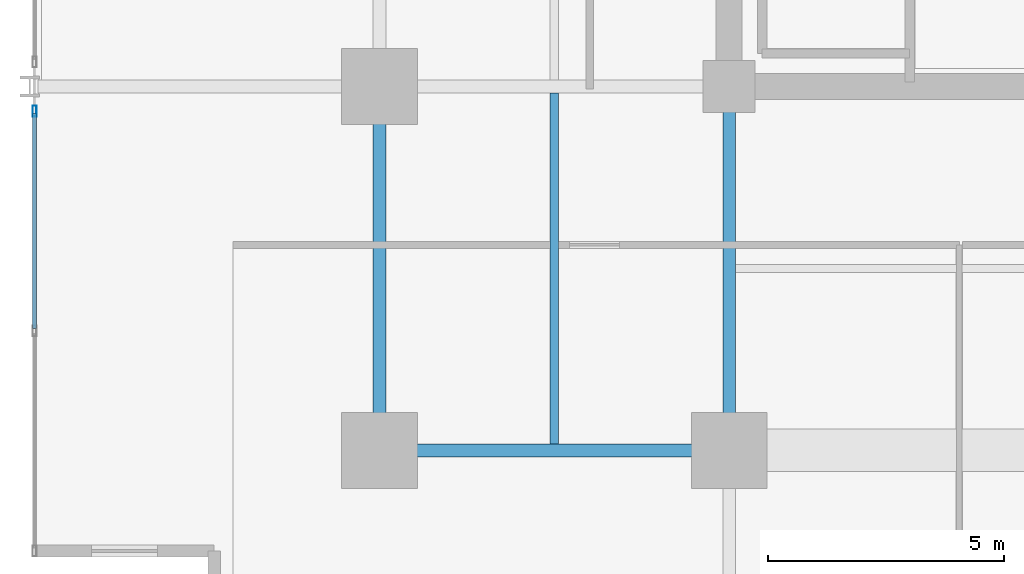
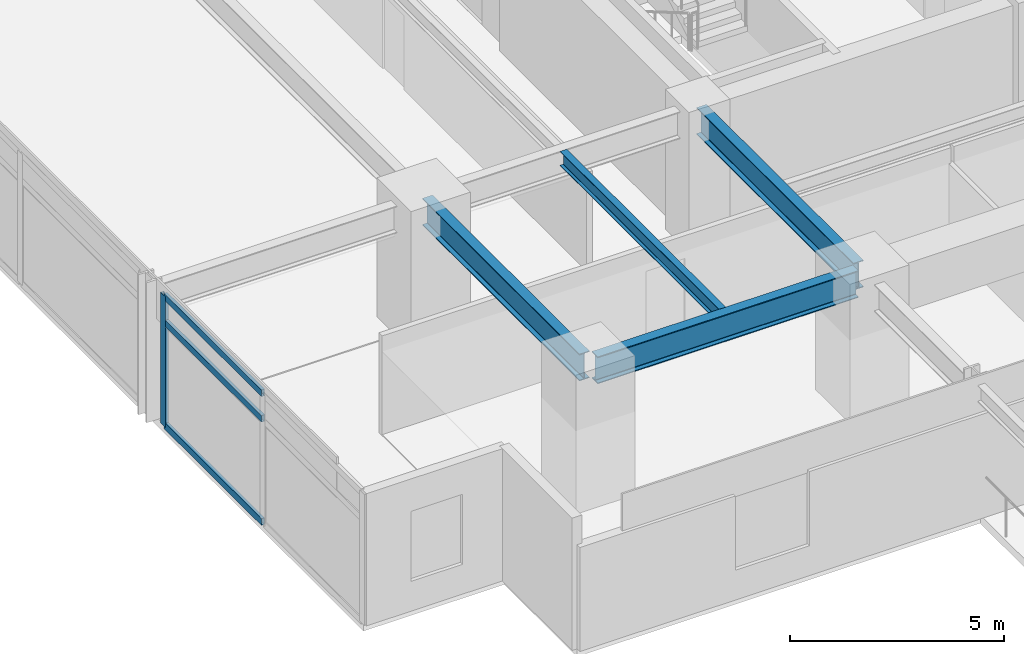
# One storey, part 3 of 21: 4 beams, 4 members, 1 element without a shape of its own.
"""IFC4 building model written with IfcOpenShell, lengths in metres."""

from ifc_helpers import new_model, si_unit, direction, frame, origin, origin_2d, place, context, subcontext, project, spatial, hollow_rectangle, i_section, extrude, material, material_profile, profile_set, type_object, element, aggregate, save


model = new_model("IFC4")

# Units and contexts
model_context = context("Model", 3, precision=1e-05, world=origin(), true_north=direction((0.0, 1.0)))
body_context = subcontext(model_context, "Body", "Model", "MODEL_VIEW")
ifc_project = project(units=[si_unit("LENGTHUNIT", "METRE"), si_unit("AREAUNIT", "SQUARE_METRE"), si_unit("VOLUMEUNIT", "CUBIC_METRE"), si_unit("PLANEANGLEUNIT", "RADIAN"), si_unit("MASSUNIT", "GRAM", prefix="KILO")], contexts=[model_context])

# Site, building, storey
site_placement = place(None, origin())
site = spatial("IfcSite", under=ifc_project, at=site_placement, CompositionType="ELEMENT")
building_placement = place(site_placement, origin())
building = spatial("IfcBuilding", under=site, at=building_placement, Name="Kovane Verandah Tower", CompositionType="ELEMENT")
storey_placement = place(building_placement, frame((0.0, 0.0, 152.39990234375)))
storey = spatial("IfcBuildingStorey", under=building, at=storey_placement, Name="L35", CompositionType="ELEMENT", Elevation=152.39990234375)

# Beams
ifc_material_1 = material(Name="Steel S355", Category="steel")
ifc_material_profile_1 = material_profile(ifc_material_1, i_section(OverallWidth=0.26806640625, OverallDepth=0.769775390625, WebThickness=0.015625, FlangeThickness=0.025390625, FilletRadius=0.0166015625, at=origin_2d()), Name="UB762x267x197")
ifc_profile_set_1 = profile_set([ifc_material_profile_1], Name="Steel S355")
beam_type_1 = type_object("IfcBeamType", Name="BM-UB762x197", PredefinedType="BEAM", material=ifc_profile_set_1)
beam_1_placement = place(storey_placement, frame((21.780029296875, 10.800048828125, 3.39013671875), z_axis=(1.0, 0.0, 0.0), x_axis=(0.0, 1.0, 0.0)))
element("IfcBeam", 1, at=beam_1_placement, inside=storey, type_object=beam_type_1, Name="L35 Primary Tower Girder G-RS1", PredefinedType="BEAM", context=body_context, shape_type="SweptSolid", body=[
    extrude(i_section(OverallWidth=0.26806640625, OverallDepth=0.769775390625, WebThickness=0.015625, FlangeThickness=0.025390625, FilletRadius=0.0166015625, at=origin_2d()), origin(), (0.0, 0.0, 1.0), 7.0400390625),
])
for number, where, z_axis, x_axis, name in (
    (2, (21.60009765625, 10.97998046875, 3.39013671875), (0.0, 1.0, 0.0), (-1.0, 0.0, 0.0), "L35 Primary Tower Girder G-RW1"),
    (3, (29.0, 18.320068359375, 3.39013671875), (0.0, -1.0, 0.0), (1.0, 0.0, 0.0), "L35 Primary Tower Girder G-S1"),
):
    element("IfcBeam", number, at=place(storey_placement, frame(where, z_axis=z_axis, x_axis=x_axis)), inside=storey, type_object=beam_type_1, Name=name, PredefinedType="BEAM", context=body_context, shape_type="SweptSolid", body=[
        extrude(i_section(OverallWidth=0.26806640625, OverallDepth=0.769775390625, WebThickness=0.015625, FlangeThickness=0.025390625, FilletRadius=0.0166015625, at=origin_2d()), origin(), (0.0, 0.0, 1.0), 7.340087890625),
    ])

# Curtain wall, members
ifc_material_2 = material(Name="Champagne Anodised Aluminium Frame with Low-E Clear Laminated Glass", Category="aluminium")
curtain_wall_type = type_object("IfcCurtainWallType", Name="CW-SYS-03-MID", PredefinedType="NOTDEFINED", material=ifc_material_2)
curtain_wall_placement = place(storey_placement, origin())
curtain_wall = element("IfcCurtainWall", 4, at=curtain_wall_placement, inside=storey, type_object=curtain_wall_type, Name="L35 W Unitised Curtain Wall-3", PredefinedType="NOTDEFINED")
ifc_material_3 = material(Name="Champagne Anodised Aluminium 6063-T6", Category="aluminium")
ifc_material_profile_2 = material_profile(ifc_material_3, hollow_rectangle(XDim=0.0849609375, YDim=0.22998046875, WallThickness=0.00390625, at=origin_2d()), Name="AL85x230x4")
ifc_profile_set_2 = profile_set([ifc_material_profile_2], Name="Champagne Anodised Aluminium 6063-T6")
member_type_1 = type_object("IfcMemberType", Name="CW-MUL-85x230", PredefinedType="MULLION", material=ifc_profile_set_2)
member_1_placement = place(storey_placement, frame((14.303955078125, 17.97998046875, 0.02001953125), z_axis=(0.0, 0.0, 1.0), x_axis=(-1.0, 0.0, 0.0)))
member_1 = element("IfcMember", 5, at=member_1_placement, type_object=member_type_1, Name="L35 W Unitised Curtain Wall-3 Mullion 1", PredefinedType="MULLION", context=body_context, shape_type="SweptSolid", body=[
    extrude(hollow_rectangle(XDim=0.0849609375, YDim=0.22998046875, WallThickness=0.00390625, at=origin_2d()), origin(), (0.0, 0.0, 1.0), 3.735107421875),
])
ifc_material_profile_3 = material_profile(ifc_material_3, hollow_rectangle(XDim=0.0849609375, YDim=0.18994140625, WallThickness=0.00390625, at=origin_2d()), Name="AL85x190x4")
ifc_profile_set_3 = profile_set([ifc_material_profile_3], Name="Champagne Anodised Aluminium 6063-T6")
member_type_2 = type_object("IfcMemberType", Name="CW-TRN-85x190", PredefinedType="USERDEFINED", material=ifc_profile_set_3)
member_2_placement = place(storey_placement, frame((14.303955078125, 17.929931640625, 0.050048828125), z_axis=(0.0, -1.0, 0.0), x_axis=(1.0, 0.0, 0.0)))
member_2 = element("IfcMember", 6, at=member_2_placement, type_object=member_type_2, Name="L35 W Unitised Curtain Wall-3 Transom TB Bay 1", ObjectType="TRANSOM", PredefinedType="USERDEFINED", context=body_context, shape_type="SweptSolid", body=[
    extrude(hollow_rectangle(XDim=0.0849609375, YDim=0.18994140625, WallThickness=0.00390625, at=origin_2d()), origin(), (0.0, 0.0, 1.0), 4.553466796875),
])
member_3_placement = place(storey_placement, frame((14.303955078125, 17.929931640625, 2.9951171875), z_axis=(0.0, -1.0, 0.0), x_axis=(1.0, 0.0, 0.0)))
member_3 = element("IfcMember", 7, at=member_3_placement, type_object=member_type_2, Name="L35 W Unitised Curtain Wall-3 Transom TM Bay 1", ObjectType="TRANSOM", PredefinedType="USERDEFINED", context=body_context, shape_type="SweptSolid", body=[
    extrude(hollow_rectangle(XDim=0.0849609375, YDim=0.18994140625, WallThickness=0.00390625, at=origin_2d()), origin(), (0.0, 0.0, 1.0), 4.553466796875),
])
member_4_placement = place(storey_placement, frame((14.303955078125, 17.929931640625, 3.72509765625), z_axis=(0.0, -1.0, 0.0), x_axis=(1.0, 0.0, 0.0)))
member_4 = element("IfcMember", 8, at=member_4_placement, type_object=member_type_2, Name="L35 W Unitised Curtain Wall-3 Transom TT Bay 1", ObjectType="TRANSOM", PredefinedType="USERDEFINED", context=body_context, shape_type="SweptSolid", body=[
    extrude(hollow_rectangle(XDim=0.0849609375, YDim=0.18994140625, WallThickness=0.00390625, at=origin_2d()), origin(), (0.0, 0.0, 1.0), 4.553466796875),
])
aggregate(curtain_wall, [member_1, member_2, member_3, member_4])

# Beam
ifc_material_profile_4 = material_profile(ifc_material_1, i_section(OverallWidth=0.179443359375, OverallDepth=0.412841796875, WebThickness=0.009521484375, FlangeThickness=0.01611328125, FilletRadius=0.01025390625, at=origin_2d()), Name="UB406x178x74")
ifc_profile_set_4 = profile_set([ifc_material_profile_4], Name="Steel S355")
beam_type_2 = type_object("IfcBeamType", Name="JST-UB406x74", PredefinedType="JOIST", material=ifc_profile_set_4)
beam_2_placement = place(storey_placement, frame((25.300048828125, 10.931884765625, 3.568603515625), z_axis=(0.0, 1.0, 0.0), x_axis=(-1.0, 0.0, 0.0)))
element("IfcBeam", 9, at=beam_2_placement, inside=storey, type_object=beam_type_2, Name="L35 Secondary Composite Joist J-SW1", PredefinedType="JOIST", context=body_context, shape_type="SweptSolid", body=[
    extrude(i_section(OverallWidth=0.179443359375, OverallDepth=0.412841796875, WebThickness=0.009521484375, FlangeThickness=0.01611328125, FilletRadius=0.01025390625, at=origin_2d()), origin(), (0.0, 0.0, 1.0), 7.43603515625),
])

save(model, "model.ifc")
